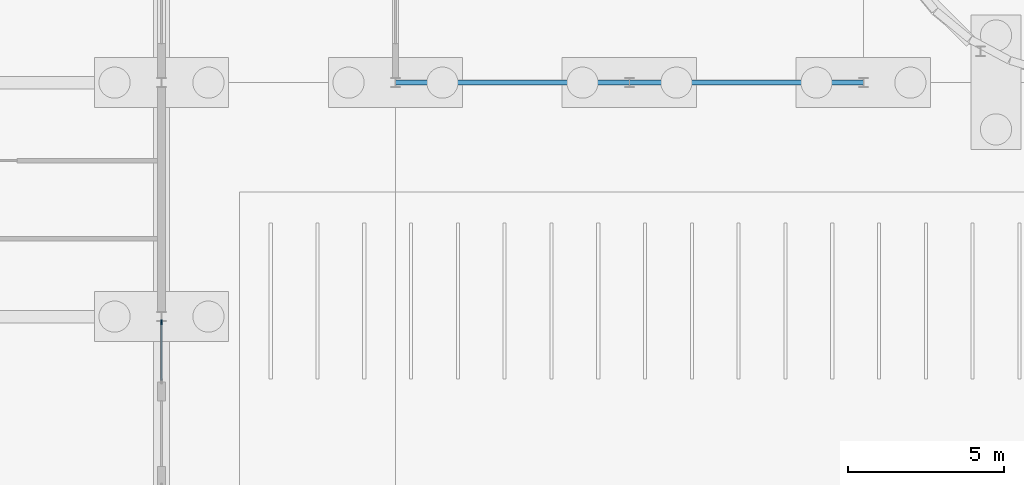
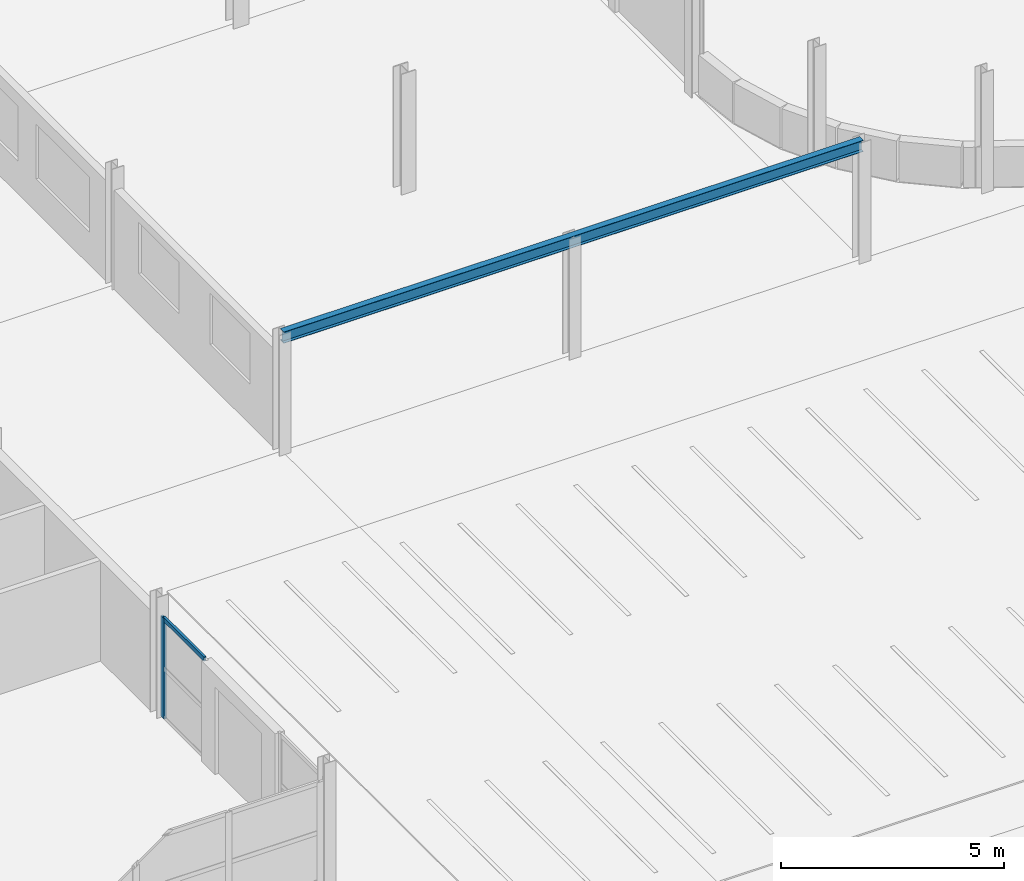
# One storey, part 56 of 130: 2 members, 1 beam, 1 element without a shape of its own.
"""IFC4 building model written with IfcOpenShell, lengths in metres."""

from ifc_helpers import new_model, si_unit, direction, frame, origin, origin_2d, place, context, subcontext, project, spatial, rectangle, i_section, extrude, material, material_profile, profile_set, type_object, element, aggregate, save


model = new_model("IFC4")

# Units and contexts
model_context = context("Model", 3, precision=1e-05, world=origin(), true_north=direction((0.0, 1.0)))
body_context = subcontext(model_context, "Body", "Model", "MODEL_VIEW")
ifc_project = project(units=[si_unit("LENGTHUNIT", "METRE"), si_unit("AREAUNIT", "SQUARE_METRE"), si_unit("VOLUMEUNIT", "CUBIC_METRE"), si_unit("PLANEANGLEUNIT", "RADIAN"), si_unit("MASSUNIT", "GRAM", prefix="KILO")], contexts=[model_context])

# Site, building, storey
site_placement = place(None, origin())
site = spatial("IfcSite", under=ifc_project, at=site_placement, CompositionType="ELEMENT")
building_placement = place(site_placement, origin())
building = spatial("IfcBuilding", under=site, at=building_placement, Name="Parallax Yard Mobility Hub", CompositionType="ELEMENT")
storey_placement = place(building_placement, origin())
storey = spatial("IfcBuildingStorey", under=building, at=storey_placement, Name="L00", CompositionType="ELEMENT", Elevation=0.0)

# Curtain wall, member
ifc_material_1 = material(Name="Thermally broken aluminium curtain wall system", Category="aluminium")
curtain_wall_type = type_object("IfcCurtainWallType", Name="Curtain wall run 60 x 160 frame", PredefinedType="NOTDEFINED", material=ifc_material_1)
curtain_wall_placement = place(storey_placement, origin())
curtain_wall = element("IfcCurtainWall", 1, at=curtain_wall_placement, inside=storey, type_object=curtain_wall_type, Name="Curtain wall run Bicycle and shared-mobility hall east bay 1 level L00", PredefinedType="NOTDEFINED")
ifc_material_2 = material(Name="Extruded aluminium", Category="aluminium")
ifc_material_profile_1 = material_profile(ifc_material_2, rectangle(XDim=0.06005859375, YDim=0.159912109375, at=origin_2d()), Name="Mullion 60 x 160")
ifc_profile_set_1 = profile_set([ifc_material_profile_1], Name="Extruded aluminium")
member_type_1 = type_object("IfcMemberType", Name="Mullion 60 x 160", PredefinedType="MULLION", material=ifc_profile_set_1)
member_1_placement = place(storey_placement, frame((172.5, 14.81640625, 0.0), z_axis=(0.0, 0.0, 1.0), x_axis=(-1.0, 0.0, 0.0)))
member_1 = element("IfcMember", 2, at=member_1_placement, type_object=member_type_1, Name="CW1 mullion 2", PredefinedType="MULLION", context=body_context, shape_type="SweptSolid", body=[
    extrude(rectangle(XDim=0.06005859375, YDim=0.159912109375, at=origin_2d()), origin(), (0.0, 0.0, 1.0), 2.7509765625),
])

# Beam
ifc_material_3 = material(Name="Steel ASTM A992", Category="steel")
ifc_material_profile_2 = material_profile(ifc_material_3, i_section(OverallWidth=0.1650390625, OverallDepth=0.31005859375, WebThickness=0.005859375, FlangeThickness=0.009765625, at=origin_2d()), Name="W310x39")
ifc_profile_set_2 = profile_set([ifc_material_profile_2], Name="Steel ASTM A992")
beam_type = type_object("IfcBeamType", Name="South edge beam W310x39", PredefinedType="BEAM", material=ifc_profile_set_2)
beam_placement = place(storey_placement, frame((180.0, 22.5, 3.14501953125), z_axis=(1.0, 0.0, 0.0), x_axis=(0.0, 1.0, 0.0)))
element("IfcBeam", 3, at=beam_placement, inside=storey, type_object=beam_type, Name="South edge beam level L01 of the ramp house", PredefinedType="BEAM", context=body_context, shape_type="SweptSolid", body=[
    extrude(i_section(OverallWidth=0.1650390625, OverallDepth=0.31005859375, WebThickness=0.005859375, FlangeThickness=0.009765625, at=origin_2d()), origin(), (0.0, 0.0, 1.0), 15.0),
])

# Member
ifc_material_profile_3 = material_profile(ifc_material_2, rectangle(XDim=0.06005859375, YDim=0.1201171875, at=origin_2d()), Name="Transom 60 x 120")
ifc_profile_set_3 = profile_set([ifc_material_profile_3], Name="Extruded aluminium")
member_type_2 = type_object("IfcMemberType", Name="Transom 60 x 120", PredefinedType="USERDEFINED", material=ifc_profile_set_3)
member_2_placement = place(storey_placement, frame((172.5, 12.9599609375, 2.720947265625), z_axis=(0.0, 1.0, 0.0), x_axis=(-1.0, 0.0, 0.0)))
member_2 = element("IfcMember", 4, at=member_2_placement, type_object=member_type_2, Name="CW1 transom 1.3", ObjectType="TRANSOM", PredefinedType="USERDEFINED", context=body_context, shape_type="SweptSolid", body=[
    extrude(rectangle(XDim=0.06005859375, YDim=0.1201171875, at=origin_2d()), origin(), (0.0, 0.0, 1.0), 1.82666015625),
])

aggregate(curtain_wall, [member_1, member_2])

save(model, "model.ifc")
